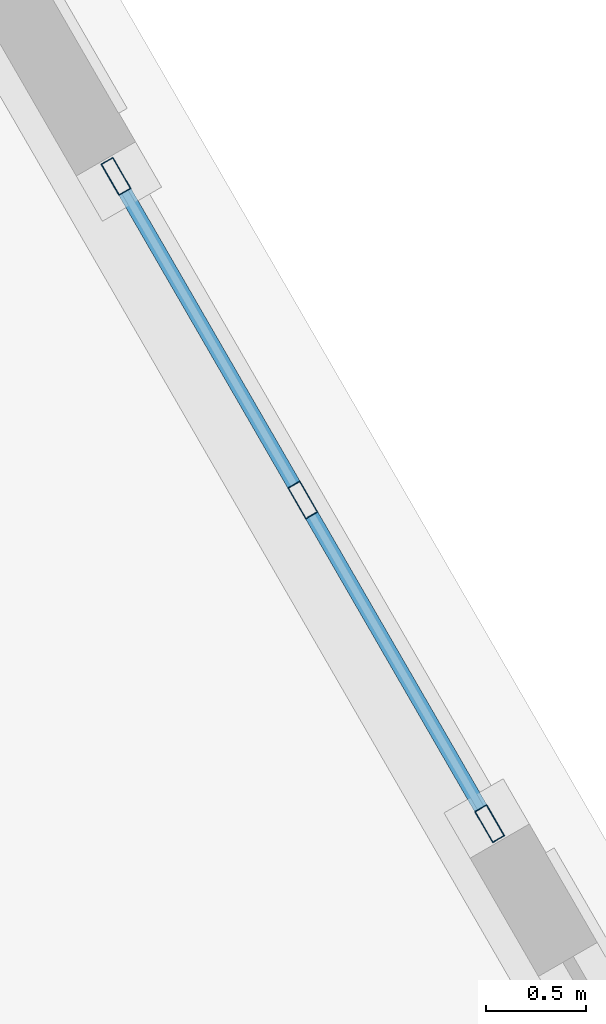
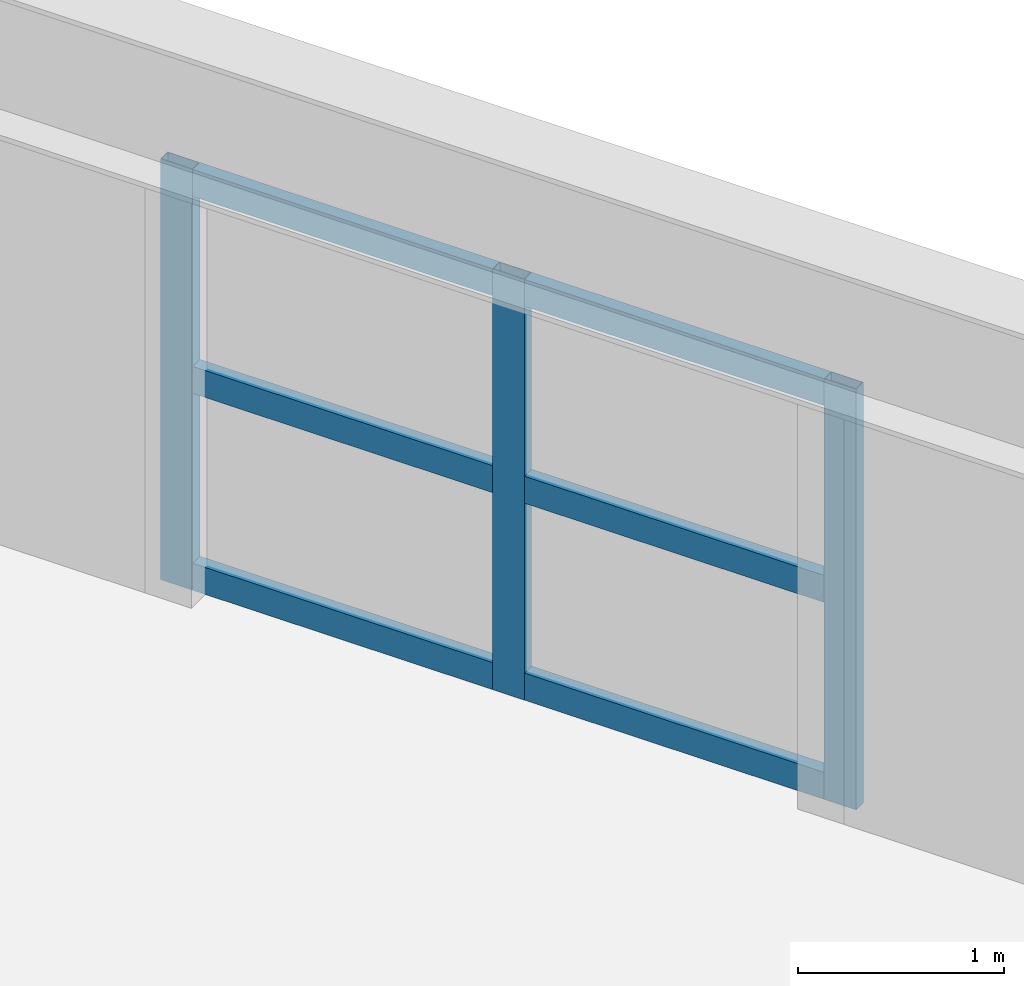
# One storey, part 4 of 15: 9 members, 1 element without a shape of its own.
"""IFC4 building model written with IfcOpenShell, lengths in metres."""

from ifc_helpers import new_model, si_unit, direction, frame, origin, origin_2d, place, context, subcontext, project, spatial, hollow_rectangle, extrude, material, layer, layer_set, material_profile, profile_set, type_object, element, aggregate, save


model = new_model("IFC4")

# Units and contexts
model_context = context("Model", 3, precision=1e-05, world=origin(), true_north=direction((0.0, 1.0)))
body_context = subcontext(model_context, "Body", "Model", "MODEL_VIEW")
ifc_project = project(units=[si_unit("LENGTHUNIT", "METRE"), si_unit("AREAUNIT", "SQUARE_METRE"), si_unit("VOLUMEUNIT", "CUBIC_METRE"), si_unit("PLANEANGLEUNIT", "RADIAN"), si_unit("MASSUNIT", "GRAM", prefix="KILO")], contexts=[model_context])

# Site, building, storey
site_placement = place(None, origin())
site = spatial("IfcSite", under=ifc_project, at=site_placement, CompositionType="ELEMENT")
building_placement = place(site_placement, origin())
building = spatial("IfcBuilding", under=site, at=building_placement, Name="Oramaril Tower", CompositionType="ELEMENT")
storey_placement = place(building_placement, frame((0.0, 0.0, 48.89990234375)))
storey = spatial("IfcBuildingStorey", under=building, at=storey_placement, Name="L12", CompositionType="ELEMENT", Elevation=48.89990234375)

# Curtain wall, members
ifc_material_1 = material(Name="Anodised Aluminium 6063-T6", Category="aluminium")
ifc_layer = layer(ifc_material_1, 0.179931640625)
ifc_layer_set = layer_set([ifc_layer], Name="CWT-SYS3")
curtain_wall_type = type_object("IfcCurtainWallType", Name="CWT-SYS3", PredefinedType="NOTDEFINED", material=ifc_layer_set)
curtain_wall_placement = place(storey_placement, origin())
curtain_wall = element("IfcCurtainWall", 1, at=curtain_wall_placement, inside=storey, type_object=curtain_wall_type, Name="L12 Unitised Curtain Wall CW-3", PredefinedType="NOTDEFINED")
ifc_material_2 = material(Name="Anodised Aluminium 6063-T6", Category="aluminium")
ifc_material_profile_1 = material_profile(ifc_material_2, hollow_rectangle(XDim=0.070068359375, YDim=0.179931640625, WallThickness=0.00390625, at=origin_2d()), Name="CWM180X70")
ifc_profile_set_1 = profile_set([ifc_material_profile_1], Name="Anodised Aluminium 6063-T6")
member_type_1 = type_object("IfcMemberType", Name="MT-CWM2", PredefinedType="MULLION", material=ifc_profile_set_1)
member_1_placement = place(storey_placement, frame((54.123779296875, 27.550048828125, 0.0), z_axis=(0.0, 0.0, 1.0), x_axis=(-0.866025463091, -0.499999897278, 0.0)))
member_1 = element("IfcMember", 2, at=member_1_placement, type_object=member_type_1, Name="CW-3 mullion 1", PredefinedType="MULLION", context=body_context, shape_type="SweptSolid", body=[
    extrude(hollow_rectangle(XDim=0.070068359375, YDim=0.179931640625, WallThickness=0.00390625, at=origin_2d()), origin(), (0.0, 0.0, 1.0), 2.494140625),
])
member_2_placement = place(storey_placement, frame((53.19384765625, 29.160888671875, 0.0), z_axis=(0.0, 0.0, 1.0), x_axis=(-0.866025463091, -0.499999897278, 0.0)))
member_2 = element("IfcMember", 3, at=member_2_placement, type_object=member_type_1, Name="CW-3 mullion 2", PredefinedType="MULLION", context=body_context, shape_type="SweptSolid", body=[
    extrude(hollow_rectangle(XDim=0.070068359375, YDim=0.179931640625, WallThickness=0.00390625, at=origin_2d()), origin(), (0.0, 0.0, 1.0), 2.494140625),
])
member_3_placement = place(storey_placement, frame((52.263916015625, 30.771728515625, 0.0), z_axis=(0.0, 0.0, 1.0), x_axis=(-0.866025463091, -0.499999897278, 0.0)))
member_3 = element("IfcMember", 4, at=member_3_placement, type_object=member_type_1, Name="CW-3 mullion 3", PredefinedType="MULLION", context=body_context, shape_type="SweptSolid", body=[
    extrude(hollow_rectangle(XDim=0.070068359375, YDim=0.179931640625, WallThickness=0.00390625, at=origin_2d()), origin(), (0.0, 0.0, 1.0), 2.494140625),
])
ifc_material_3 = material(Name="Anodised Aluminium 6063-T6", Category="aluminium")
ifc_material_profile_2 = material_profile(ifc_material_3, hollow_rectangle(XDim=0.070068359375, YDim=0.159912109375, WallThickness=0.00390625, at=origin_2d()), Name="CWT160X70")
ifc_profile_set_2 = profile_set([ifc_material_profile_2], Name="Anodised Aluminium 6063-T6")
member_type_2 = type_object("IfcMemberType", Name="MT-CWT1", PredefinedType="USERDEFINED", material=ifc_profile_set_2)
member_4_placement = place(storey_placement, frame((54.078857421875, 27.6279296875, 0.080078125), z_axis=(-0.499890179513, 0.866088799389, 0.0), x_axis=(-0.866088799389, -0.499890179513, 0.0)))
member_4 = element("IfcMember", 5, at=member_4_placement, type_object=member_type_2, Name="CW-3 transom 1.1", ObjectType="TRANSOM", PredefinedType="USERDEFINED", context=body_context, shape_type="SweptSolid", body=[
    extrude(hollow_rectangle(XDim=0.070068359375, YDim=0.159912109375, WallThickness=0.00390625, at=origin_2d()), origin(), (0.0, 0.0, 1.0), 1.68017578125),
])
member_5_placement = place(storey_placement, frame((54.078857421875, 27.6279296875, 1.2470703125), z_axis=(-0.499890179513, 0.866088799389, 0.0), x_axis=(-0.866088799389, -0.499890179513, 0.0)))
member_5 = element("IfcMember", 6, at=member_5_placement, type_object=member_type_2, Name="CW-3 transom 1.2", ObjectType="TRANSOM", PredefinedType="USERDEFINED", context=body_context, shape_type="SweptSolid", body=[
    extrude(hollow_rectangle(XDim=0.070068359375, YDim=0.159912109375, WallThickness=0.00390625, at=origin_2d()), origin(), (0.0, 0.0, 1.0), 1.68017578125),
])
member_6_placement = place(storey_placement, frame((54.078857421875, 27.6279296875, 2.4140625), z_axis=(-0.499890179513, 0.866088799389, 0.0), x_axis=(-0.866088799389, -0.499890179513, 0.0)))
member_6 = element("IfcMember", 7, at=member_6_placement, type_object=member_type_2, Name="CW-3 transom 1.3", ObjectType="TRANSOM", PredefinedType="USERDEFINED", context=body_context, shape_type="SweptSolid", body=[
    extrude(hollow_rectangle(XDim=0.070068359375, YDim=0.159912109375, WallThickness=0.00390625, at=origin_2d()), origin(), (0.0, 0.0, 1.0), 1.68017578125),
])
member_7_placement = place(storey_placement, frame((53.14892578125, 29.23876953125, 0.080078125), z_axis=(-0.500062097304, 0.865989548921, 0.0), x_axis=(-0.865989548921, -0.500062097304, 0.0)))
member_7 = element("IfcMember", 8, at=member_7_placement, type_object=member_type_2, Name="CW-3 transom 2.1", ObjectType="TRANSOM", PredefinedType="USERDEFINED", context=body_context, shape_type="SweptSolid", body=[
    extrude(hollow_rectangle(XDim=0.070068359375, YDim=0.159912109375, WallThickness=0.00390625, at=origin_2d()), origin(), (0.0, 0.0, 1.0), 1.679931640625),
])
member_8_placement = place(storey_placement, frame((53.14892578125, 29.23876953125, 1.2470703125), z_axis=(-0.500062097304, 0.865989548921, 0.0), x_axis=(-0.865989548921, -0.500062097304, 0.0)))
member_8 = element("IfcMember", 9, at=member_8_placement, type_object=member_type_2, Name="CW-3 transom 2.2", ObjectType="TRANSOM", PredefinedType="USERDEFINED", context=body_context, shape_type="SweptSolid", body=[
    extrude(hollow_rectangle(XDim=0.070068359375, YDim=0.159912109375, WallThickness=0.00390625, at=origin_2d()), origin(), (0.0, 0.0, 1.0), 1.679931640625),
])
member_9_placement = place(storey_placement, frame((53.14892578125, 29.23876953125, 2.4140625), z_axis=(-0.500062097304, 0.865989548921, 0.0), x_axis=(-0.865989548921, -0.500062097304, 0.0)))
member_9 = element("IfcMember", 10, at=member_9_placement, type_object=member_type_2, Name="CW-3 transom 2.3", ObjectType="TRANSOM", PredefinedType="USERDEFINED", context=body_context, shape_type="SweptSolid", body=[
    extrude(hollow_rectangle(XDim=0.070068359375, YDim=0.159912109375, WallThickness=0.00390625, at=origin_2d()), origin(), (0.0, 0.0, 1.0), 1.679931640625),
])
aggregate(curtain_wall, [member_1, member_2, member_3, member_4, member_5, member_6, member_7, member_8, member_9])

save(model, "model.ifc")
